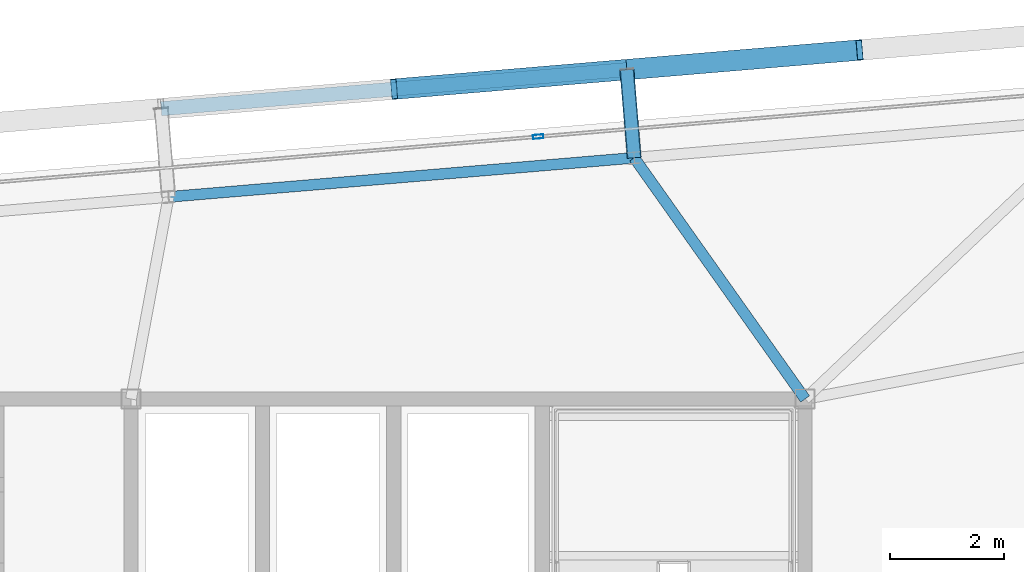
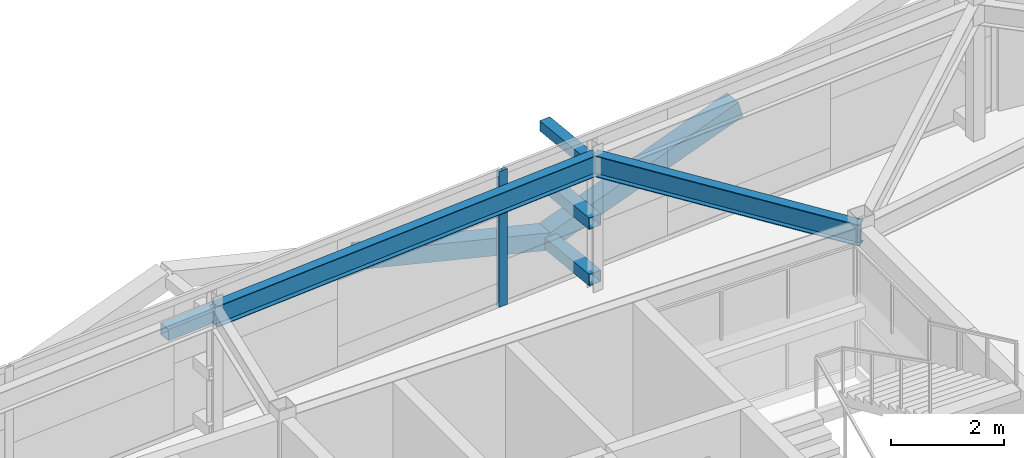
# One storey, part 24 of 39: 7 members, 2 beams, 1 element without a shape of its own.
"""IFC4 building model written with IfcOpenShell, lengths in metres."""

from ifc_helpers import new_model, si_unit, direction, frame, origin, origin_2d, place, context, subcontext, project, spatial, hollow_rectangle, i_section, extrude, source, transform, mapped, material, layer, layer_set, material_profile, profile_set, type_object, element, aggregate, save


model = new_model("IFC4")

# Units and contexts
model_context = context("Model", 3, precision=1e-05, world=origin(), true_north=direction((0.0, 1.0)))
body_context = subcontext(model_context, "Body", "Model", "MODEL_VIEW")
ifc_project = project(units=[si_unit("LENGTHUNIT", "METRE"), si_unit("AREAUNIT", "SQUARE_METRE"), si_unit("VOLUMEUNIT", "CUBIC_METRE"), si_unit("PLANEANGLEUNIT", "RADIAN"), si_unit("MASSUNIT", "GRAM", prefix="KILO")], contexts=[model_context])

# Site, building, storey
site_placement = place(None, origin())
site = spatial("IfcSite", under=ifc_project, at=site_placement, CompositionType="ELEMENT")
building_placement = place(site_placement, origin())
building = spatial("IfcBuilding", under=site, at=building_placement, Name="Taldren Reach Tower", CompositionType="ELEMENT")
storey_placement = place(building_placement, frame((0.0, 0.0, 197.75)))
storey = spatial("IfcBuildingStorey", under=building, at=storey_placement, Name="L60", CompositionType="ELEMENT", Elevation=197.75)

# Members
ifc_material_1 = material(Name="Steel Gr 350 (C350L0)", Category="steel")
ifc_material_profile_1 = material_profile(ifc_material_1, hollow_rectangle(XDim=0.25, YDim=0.25, WallThickness=0.010009765625, at=origin_2d()), Name="250x250x10.0SHS")
ifc_profile_set_1 = profile_set([ifc_material_profile_1], Name="Steel Gr 350 (C350L0)")
member_type_1 = type_object("IfcMemberType", Name="MB-POST250", PredefinedType="POST", material=ifc_profile_set_1)
shared_shape_1 = source(origin(), body_context, "Body", "SweptSolid", [
    extrude(hollow_rectangle(XDim=0.25, YDim=0.25, WallThickness=0.010009765625, at=origin_2d()), origin(), (0.0, 0.0, 1.0), 1.550048828125),
])
for number, where, z_axis, x_axis, name in (
    (1, (48.009033203125, 36.221435546875, 0.219970703125), (-0.083632013783, 0.996496706603, 0.0), (-0.996496706603, -0.083632013783, 0.0), "Exoskeleton base diaphragm tie strut B4-N5 L60"),
    (2, (48.009033203125, 36.221435546875, 1.43505859375), (-0.083632013783, 0.996496706603, 0.0), (-0.996496706603, -0.083632013783, 0.0), "Exoskeleton mid-tier diaphragm tie B4-N5 L60"),
):
    element("IfcMember", number, at=place(storey_placement, frame(where, z_axis=z_axis, x_axis=x_axis)), inside=storey, type_object=member_type_1, Name=name, PredefinedType="POST", context=body_context, shape_type="MappedRepresentation", body=[
        mapped(shared_shape_1, transform((0.0, 0.0, 0.0), scale=1.0)),
    ])

# Beams
ifc_material_2 = material(Name="Steel Gr 350 (350PLUS)", Category="steel")
ifc_material_profile_2 = material_profile(ifc_material_2, i_section(OverallWidth=0.18994140625, OverallDepth=0.4541015625, WebThickness=0.008544921875, FlangeThickness=0.0126953125, at=origin_2d()), Name="460UB67.1")
ifc_profile_set_2 = profile_set([ifc_material_profile_2], Name="Steel Gr 350 (350PLUS)")
beam_type_1 = type_object("IfcBeamType", Name="SP-UB460B", PredefinedType="SPANDREL", material=ifc_profile_set_2)
shared_shape_2 = source(origin(), body_context, "Body", "SweptSolid", [
    extrude(i_section(OverallWidth=0.18994140625, OverallDepth=0.4541015625, WebThickness=0.008544921875, FlangeThickness=0.0126953125, at=origin_2d()), origin(), (0.0, 0.0, 1.0), 8.179931640625),
])
beam_1_placement = place(storey_placement, frame((48.009033203125, 36.221435546875, 2.702880859375), z_axis=(-0.996494523218, -0.083658025296, 0.0), x_axis=(0.083658025296, -0.996494523218, 0.0)))
element("IfcBeam", 3, at=beam_1_placement, inside=storey, type_object=beam_type_1, Name="Perimeter spandrel B4 N5-N4 L60", PredefinedType="SPANDREL", context=body_context, shape_type="MappedRepresentation", body=[
    mapped(shared_shape_2, transform((0.0, 0.0, 0.0), scale=1.0)),
])
ifc_material_profile_3 = material_profile(ifc_material_2, i_section(OverallWidth=0.19091796875, OverallDepth=0.4599609375, WebThickness=0.010009765625, FlangeThickness=0.01611328125, at=origin_2d()), Name="460UB82.1")
ifc_profile_set_3 = profile_set([ifc_material_profile_3], Name="Steel Gr 350 (350PLUS)")
beam_type_2 = type_object("IfcBeamType", Name="BM-UB460A", PredefinedType="BEAM", material=ifc_profile_set_3)
shared_shape_3 = source(origin(), body_context, "Body", "SweptSolid", [
    extrude(i_section(OverallWidth=0.19091796875, OverallDepth=0.4599609375, WebThickness=0.010009765625, FlangeThickness=0.01611328125, at=origin_2d()), origin(), (0.0, 0.0, 1.0), 5.173583984375),
])
beam_2_placement = place(storey_placement, frame((51.0, 32.0, 2.699951171875), z_axis=(-0.578118152709, 0.8159530633, 0.0), x_axis=(-0.8159530633, -0.578118152709, 0.0)))
element("IfcBeam", 4, at=beam_2_placement, inside=storey, type_object=beam_type_2, Name="Primary floor girder B4-N5 L60", PredefinedType="BEAM", context=body_context, shape_type="MappedRepresentation", body=[
    mapped(shared_shape_3, transform((0.0, 0.0, 0.0), scale=1.0)),
])

# Members
ifc_material_3 = material(Name="Steel Gr 450 (C450L0)", Category="steel")
ifc_material_profile_4 = material_profile(ifc_material_3, hollow_rectangle(XDim=0.219970703125, YDim=0.219970703125, WallThickness=0.00830078125, at=origin_2d()), Name="220x220x8.2SHS")
ifc_profile_set_4 = profile_set([ifc_material_profile_4], Name="Steel Gr 450 (C450L0)")
member_type_2 = type_object("IfcMemberType", Name="MB-TIE219", PredefinedType="STRUT", material=ifc_profile_set_4)
shared_shape_4 = source(origin(), body_context, "Body", "SweptSolid", [
    extrude(hollow_rectangle(XDim=0.219970703125, YDim=0.219970703125, WallThickness=0.00830078125, at=origin_2d()), origin(), (0.0, 0.0, 1.0), 1.550048828125),
])
member_1_placement = place(storey_placement, frame((48.009033203125, 36.221435546875, 2.64990234375), z_axis=(-0.083632013783, 0.996496706603, 0.0), x_axis=(-0.996496706603, -0.083632013783, 0.0)))
element("IfcMember", 5, at=member_1_placement, inside=storey, type_object=member_type_2, Name="Exoskeleton diaphragm tie strut B4-N5 L60", PredefinedType="STRUT", context=body_context, shape_type="MappedRepresentation", body=[
    mapped(shared_shape_4, transform((0.0, 0.0, 0.0), scale=1.0)),
])
shared_shape_5 = source(origin(), body_context, "Body", "SweptSolid", [
    extrude(hollow_rectangle(XDim=0.25, YDim=0.25, WallThickness=0.010009765625, at=origin_2d()), origin(), (0.0, 0.0, 1.0), 8.18017578125),
])
member_2_placement = place(storey_placement, frame((39.72802734375, 37.08154296875, 1.43505859375), z_axis=(0.996492034688, 0.083687662192, 0.0), x_axis=(-0.083687662192, 0.996492034688, 0.0)))
element("IfcMember", 6, at=member_2_placement, inside=storey, type_object=member_type_1, Name="Exoskeleton mid-height ring chord B4-N4 L60", PredefinedType="POST", context=body_context, shape_type="MappedRepresentation", body=[
    mapped(shared_shape_5, transform((0.0, 0.0, 0.0), scale=1.0)),
])
ifc_material_profile_5 = material_profile(ifc_material_3, hollow_rectangle(XDim=0.360107421875, YDim=0.360107421875, WallThickness=0.0126953125, at=origin_2d()), Name="360x360x12.7SHS")
ifc_profile_set_5 = profile_set([ifc_material_profile_5], Name="Steel Gr 450 (C450L0)")
member_type_3 = type_object("IfcMemberType", Name="MB-EXO356", PredefinedType="BRACE", material=ifc_profile_set_5)
shared_shape_6 = source(origin(), body_context, "Body", "SweptSolid", [
    extrude(hollow_rectangle(XDim=0.360107421875, YDim=0.360107421875, WallThickness=0.0126953125, at=origin_2d()), origin(), (0.0, 0.0, 1.0), 4.2666015625),
])
for number, where, z_axis, x_axis, name in (
    (7, (47.87939453125, 37.76611328125, 0.219970703125), (-0.955229159097, -0.080222312271, 0.284783486572), (0.083687662192, -0.996492034688, 0.0), "Exoskeleton Diagrid Brace B4-N4 L60"),
    (8, (47.87939453125, 37.76611328125, 0.219970703125), (0.955229159097, 0.080222312271, 0.284783486572), (-0.083687662192, 0.996492034688, 0.0), "Exoskeleton Diagrid Brace B4-N5 L60"),
):
    element("IfcMember", number, at=place(storey_placement, frame(where, z_axis=z_axis, x_axis=x_axis)), inside=storey, type_object=member_type_3, Name=name, PredefinedType="BRACE", context=body_context, shape_type="MappedRepresentation", body=[
        mapped(shared_shape_6, transform((0.0, 0.0, 0.0), scale=1.0)),
    ])

# Curtain wall, member
ifc_material_4 = material(Name="Aluminium and Low-E Glass Unitised System", Category="aluminium")
ifc_layer = layer(ifc_material_4, 0.159912109375)
ifc_layer_set = layer_set([ifc_layer], Name="Aluminium and Low-E Glass Unitised System")
curtain_wall_type = type_object("IfcCurtainWallType", Name="CW-SYS-5", PredefinedType="NOTDEFINED", material=ifc_layer_set)
curtain_wall_placement = place(storey_placement, origin())
curtain_wall = element("IfcCurtainWall", 9, at=curtain_wall_placement, inside=storey, type_object=curtain_wall_type, Name="Unitised curtain wall CW-L60-N", PredefinedType="NOTDEFINED")
ifc_material_5 = material(Name="Anodised Aluminium 6063-T6", Category="aluminium")
ifc_material_profile_6 = material_profile(ifc_material_5, hollow_rectangle(XDim=0.070068359375, YDim=0.179931640625, WallThickness=0.00390625, at=origin_2d()), Name="ALU-180x70x4RHS")
ifc_profile_set_6 = profile_set([ifc_material_profile_6], Name="Anodised Aluminium 6063-T6")
member_type_4 = type_object("IfcMemberType", Name="CW-MUL-180", PredefinedType="MULLION", material=ifc_profile_set_6)
shared_shape_7 = source(origin(), body_context, "Body", "SweptSolid", [
    extrude(hollow_rectangle(XDim=0.070068359375, YDim=0.179931640625, WallThickness=0.00390625, at=origin_2d()), origin(), (0.0, 0.0, 1.0), 2.929931640625),
])
member_3_placement = place(storey_placement, frame((46.3271484375, 36.592041015625, 0.0), z_axis=(0.0, 0.0, 1.0), x_axis=(0.083677875247, -0.99649285657, 0.0)))
member_3 = element("IfcMember", 10, at=member_3_placement, type_object=member_type_4, Name="CW-5 mullion 2", PredefinedType="MULLION", context=body_context, shape_type="MappedRepresentation", body=[
    mapped(shared_shape_7, transform((0.0, 0.0, 0.0), scale=1.0)),
])
aggregate(curtain_wall, [member_3])

save(model, "model.ifc")
